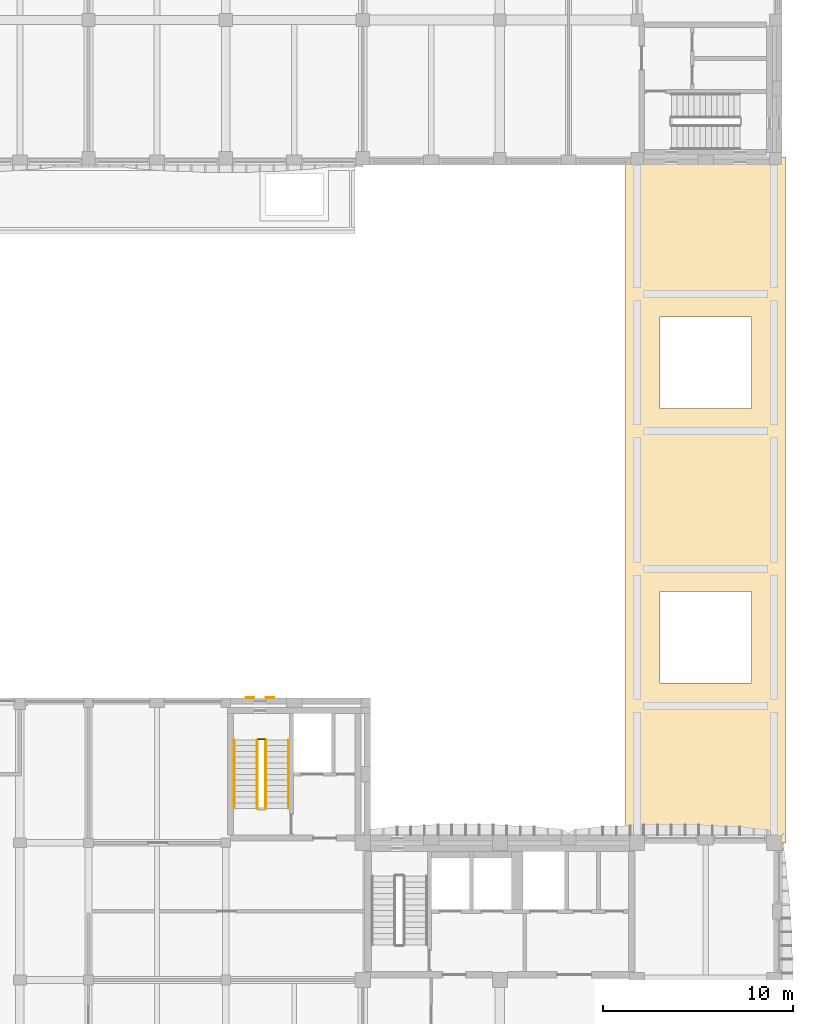
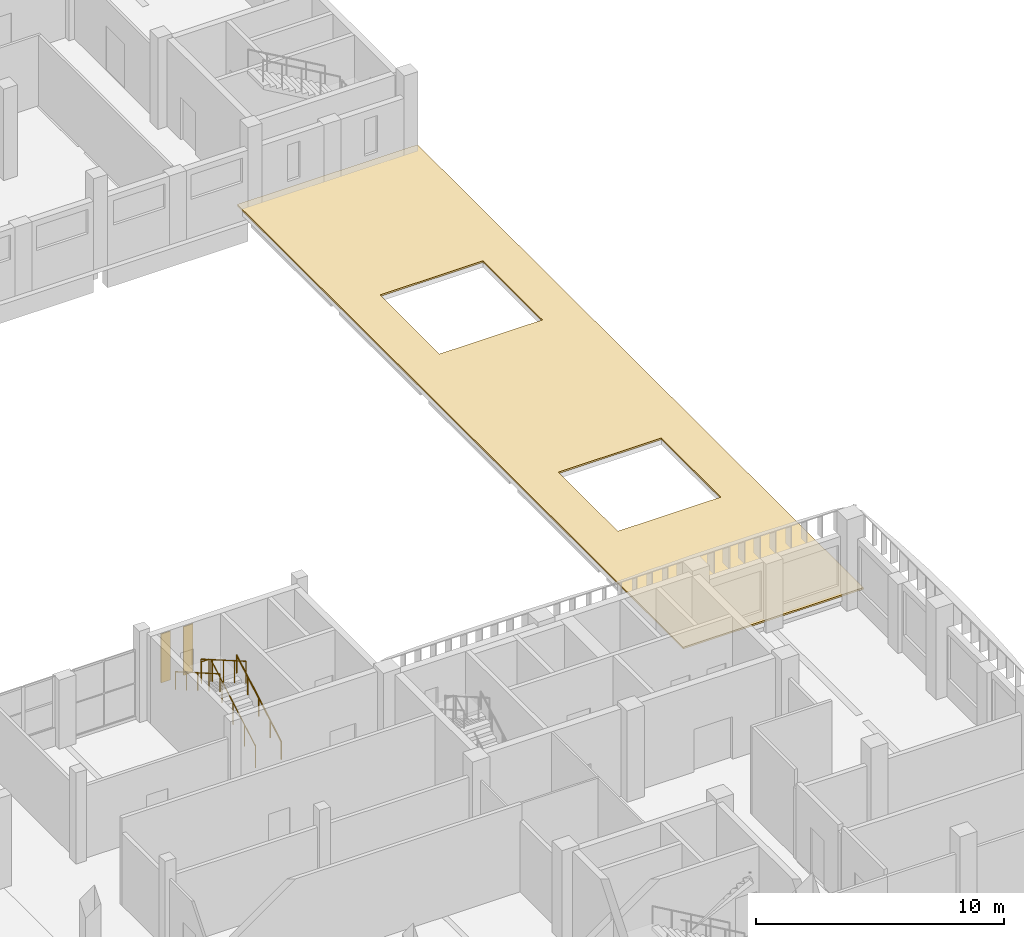
# One storey, part 43 of 59: 5 railings, 2 shading devices, 1 covering.
"""IFC4 building model written with IfcOpenShell, lengths in metres."""

from ifc_helpers import new_model, si_unit, direction, frame, origin, origin_2d, place, context, subcontext, project, spatial, polyline, rectangle, circle, outline, extrude, material, layer, layer_set, type_object, element, save


model = new_model("IFC4")

# Units and contexts
model_context = context("Model", 3, precision=1e-05, world=origin(), true_north=direction((0.0, 1.0)))
body_context = subcontext(model_context, "Body", "Model", "MODEL_VIEW")
ifc_project = project(units=[si_unit("LENGTHUNIT", "METRE"), si_unit("AREAUNIT", "SQUARE_METRE"), si_unit("VOLUMEUNIT", "CUBIC_METRE"), si_unit("PLANEANGLEUNIT", "RADIAN"), si_unit("MASSUNIT", "GRAM", prefix="KILO")], contexts=[model_context])

# Site, building, storey
site_placement = place(None, origin())
site = spatial("IfcSite", under=ifc_project, at=site_placement, CompositionType="ELEMENT")
building_placement = place(site_placement, origin())
building = spatial("IfcBuilding", under=site, at=building_placement, Name="Ussher Court Research Institute", CompositionType="ELEMENT")
storey_placement = place(building_placement, frame((0.0, 0.0, 5.39990234375)))
storey = spatial("IfcBuildingStorey", under=building, at=storey_placement, Name="L01", CompositionType="ELEMENT", Elevation=5.39990234375)

# Covering
ifc_material_1 = material(Name="Bituminous membrane with gravel ballast")
ifc_layer_1 = layer(ifc_material_1, 0.080078125)
ifc_layer_set_1 = layer_set([ifc_layer_1], Name="Bituminous membrane with gravel ballast")
covering_type = type_object("IfcCoveringType", Name="Flat roof membrane and ballast 80", PredefinedType="ROOFING", material=ifc_layer_set_1)
covering_placement = place(storey_placement, frame((0.0, 0.0, 0.5)))
element("IfcCovering", 1, at=covering_placement, inside=storey, type_object=covering_type, Name="Roof covering RC3 V8", PredefinedType="ROOFING", context=body_context, shape_type="SweptSolid", body=[
    extrude(outline(polyline([(96.0, 68.800048828125), (96.0, 32.800048828125), (104.39990234375, 32.800048828125), (104.39990234375, 68.800048828125), (96.0, 68.800048828125)]), holes=[polyline([(97.800048828125, 46.0), (102.60009765625, 46.0), (102.60009765625, 41.199951171875), (97.800048828125, 41.199951171875), (97.800048828125, 46.0)]), polyline([(102.60009765625, 60.39990234375), (102.60009765625, 55.60009765625), (97.800048828125, 55.60009765625), (97.800048828125, 60.39990234375), (102.60009765625, 60.39990234375)])]), origin(), (0.0, 0.0, 1.0), 0.080078125),
])

# Shading devices
ifc_material_2 = material(Name="Timber louvred shutter", Category="wood")
ifc_layer_2 = layer(ifc_material_2, 0.0400390625)
ifc_layer_set_2 = layer_set([ifc_layer_2], Name="Timber louvred shutter")
shading_device_type = type_object("IfcShadingDeviceType", Name="Louvred shutter leaf 450x2400", PredefinedType="USERDEFINED", material=ifc_layer_set_2)
for number, where, z_axis, x_axis, name in (
    (2, (76.27490234375, 40.419921875, 1.2001953125), (0.0, 0.0, 1.0), (1.0, 0.0, 0.0), "Shutter LV2 L01"),
    (3, (77.324951171875, 40.419921875, 1.2001953125), (0.0, 0.0, 1.0), (1.0, 0.0, 0.0), "Shutter LV2 L01"),
):
    element("IfcShadingDevice", number, at=place(storey_placement, frame(where, z_axis=z_axis, x_axis=x_axis)), inside=storey, type_object=shading_device_type, Name=name, ObjectType="SHUTTER", PredefinedType="USERDEFINED", context=body_context, shape_type="SweptSolid", body=[
        extrude(rectangle(XDim=0.449951171875, YDim=0.0400390625, at=origin_2d()), origin(), (0.0, 0.0, 1.0), 2.39990234375),
    ])

# Railings
ifc_material_3 = material(Name="Painted steel balustrade", Category="steel")
railing_type_1 = type_object("IfcRailingType", Name="Stair guard 1100 steel balustrade", PredefinedType="GUARDRAIL", material=ifc_material_3)
railing_1_placement = place(storey_placement, frame((77.10009765625, 34.60009765625, 0.173095703125)))
element("IfcRailing", 4, at=railing_1_placement, inside=storey, type_object=railing_type_1, Name="L01 E1 stair guard 1", PredefinedType="GUARDRAIL", context=body_context, shape_type="SweptSolid", body=[
    extrude(circle(Radius=0.02392578125, at=origin_2d()), frame((0.0, 0.0, 1.076171875), z_axis=(0.0, 0.866178740119, 0.499734319579), x_axis=(-1.0, 0.0, 0.0)), (0.0, 0.0, 1.0), 4.156005859375),
    extrude(circle(Radius=0.02099609375, at=origin_2d()), origin(), (0.0, 0.0, 1.0), 1.052001953125),
    extrude(circle(Radius=0.02099609375, at=origin_2d()), frame((0.0, 0.89990234375, 0.519287109375)), (0.0, 0.0, 1.0), 1.052001953125),
    extrude(circle(Radius=0.02099609375, at=origin_2d()), frame((0.0, 1.7998046875, 1.03857421875)), (0.0, 0.0, 1.0), 1.052001953125),
    extrude(circle(Radius=0.02099609375, at=origin_2d()), frame((0.0, 2.699951171875, 1.5576171875)), (0.0, 0.0, 1.0), 1.052001953125),
    extrude(circle(Radius=0.02099609375, at=origin_2d()), frame((0.0, 3.599853515625, 2.076904296875)), (0.0, 0.0, 1.0), 1.052001953125),
])
railing_2_placement = place(storey_placement, frame((77.050048828125, 38.25, 2.25)))
element("IfcRailing", 5, at=railing_2_placement, inside=storey, type_object=railing_type_1, Name="L01 E1 stair guard 2", PredefinedType="GUARDRAIL", context=body_context, shape_type="SweptSolid", body=[
    extrude(circle(Radius=0.02392578125, at=origin_2d()), frame((0.0, 0.0, 1.076171875), z_axis=(-1.0, 0.0, 0.0), x_axis=(0.0, -1.0, 0.0)), (0.0, 0.0, 1.0), 0.35009765625),
    extrude(circle(Radius=0.02099609375, at=origin_2d()), origin(), (0.0, 0.0, 1.0), 1.052001953125),
    extrude(circle(Radius=0.02099609375, at=origin_2d()), frame((-0.35009765625, 0.0, 0.0)), (0.0, 0.0, 1.0), 1.052001953125),
])
railing_3_placement = place(storey_placement, frame((76.64990234375, 38.199951171875, 2.423095703125)))
element("IfcRailing", 6, at=railing_3_placement, inside=storey, type_object=railing_type_1, Name="L01 E1 stair guard 3", PredefinedType="GUARDRAIL", context=body_context, shape_type="SweptSolid", body=[
    extrude(circle(Radius=0.02392578125, at=origin_2d()), frame((0.0, 0.0, 1.076171875), z_axis=(0.0, -0.866178740119, 0.499734319579), x_axis=(1.0, 0.0, 0.0)), (0.0, 0.0, 1.0), 4.156005859375),
    extrude(circle(Radius=0.02099609375, at=origin_2d()), origin(), (0.0, 0.0, 1.0), 1.052001953125),
    extrude(circle(Radius=0.02099609375, at=origin_2d()), frame((0.0, -0.89990234375, 0.519287109375)), (0.0, 0.0, 1.0), 1.052001953125),
    extrude(circle(Radius=0.02099609375, at=origin_2d()), frame((0.0, -1.7998046875, 1.03857421875)), (0.0, 0.0, 1.0), 1.052001953125),
    extrude(circle(Radius=0.02099609375, at=origin_2d()), frame((0.0, -2.699951171875, 1.5576171875)), (0.0, 0.0, 1.0), 1.052001953125),
    extrude(circle(Radius=0.02099609375, at=origin_2d()), frame((0.0, -3.599853515625, 2.076904296875)), (0.0, 0.0, 1.0), 1.052001953125),
])
ifc_material_4 = material(Name="Painted steel handrail", Category="steel")
railing_type_2 = type_object("IfcRailingType", Name="Stair handrail 900 steel", PredefinedType="HANDRAIL", material=ifc_material_4)
railing_4_placement = place(storey_placement, frame((78.300048828125, 34.60009765625, 0.173095703125)))
element("IfcRailing", 7, at=railing_4_placement, inside=storey, type_object=railing_type_2, Name="L01 E1 stair handrail 1", PredefinedType="HANDRAIL", context=body_context, shape_type="SweptSolid", body=[
    extrude(circle(Radius=0.02392578125, at=origin_2d()), frame((0.0, 0.0, 0.8759765625), z_axis=(0.0, 0.866178740119, 0.499734319579), x_axis=(-1.0, 0.0, 0.0)), (0.0, 0.0, 1.0), 4.156005859375),
    extrude(circle(Radius=0.02099609375, at=origin_2d()), origin(), (0.0, 0.0, 1.0), 0.851806640625),
    extrude(circle(Radius=0.02099609375, at=origin_2d()), frame((0.0, 0.89990234375, 0.519287109375)), (0.0, 0.0, 1.0), 0.851806640625),
    extrude(circle(Radius=0.02099609375, at=origin_2d()), frame((0.0, 1.7998046875, 1.03857421875)), (0.0, 0.0, 1.0), 0.851806640625),
    extrude(circle(Radius=0.02099609375, at=origin_2d()), frame((0.0, 2.699951171875, 1.5576171875)), (0.0, 0.0, 1.0), 0.851806640625),
    extrude(circle(Radius=0.02099609375, at=origin_2d()), frame((0.0, 3.599853515625, 2.076904296875)), (0.0, 0.0, 1.0), 0.851806640625),
])
railing_5_placement = place(storey_placement, frame((75.449951171875, 38.199951171875, 2.423095703125)))
element("IfcRailing", 8, at=railing_5_placement, inside=storey, type_object=railing_type_2, Name="L01 E1 stair handrail 2", PredefinedType="HANDRAIL", context=body_context, shape_type="SweptSolid", body=[
    extrude(circle(Radius=0.02392578125, at=origin_2d()), frame((0.0, 0.0, 0.8759765625), z_axis=(0.0, -0.866178740119, 0.499734319579), x_axis=(1.0, 0.0, 0.0)), (0.0, 0.0, 1.0), 4.156005859375),
    extrude(circle(Radius=0.02099609375, at=origin_2d()), origin(), (0.0, 0.0, 1.0), 0.851806640625),
    extrude(circle(Radius=0.02099609375, at=origin_2d()), frame((0.0, -0.89990234375, 0.519287109375)), (0.0, 0.0, 1.0), 0.851806640625),
    extrude(circle(Radius=0.02099609375, at=origin_2d()), frame((0.0, -1.7998046875, 1.03857421875)), (0.0, 0.0, 1.0), 0.851806640625),
    extrude(circle(Radius=0.02099609375, at=origin_2d()), frame((0.0, -2.699951171875, 1.5576171875)), (0.0, 0.0, 1.0), 0.851806640625),
    extrude(circle(Radius=0.02099609375, at=origin_2d()), frame((0.0, -3.599853515625, 2.076904296875)), (0.0, 0.0, 1.0), 0.851806640625),
])

save(model, "model.ifc")
